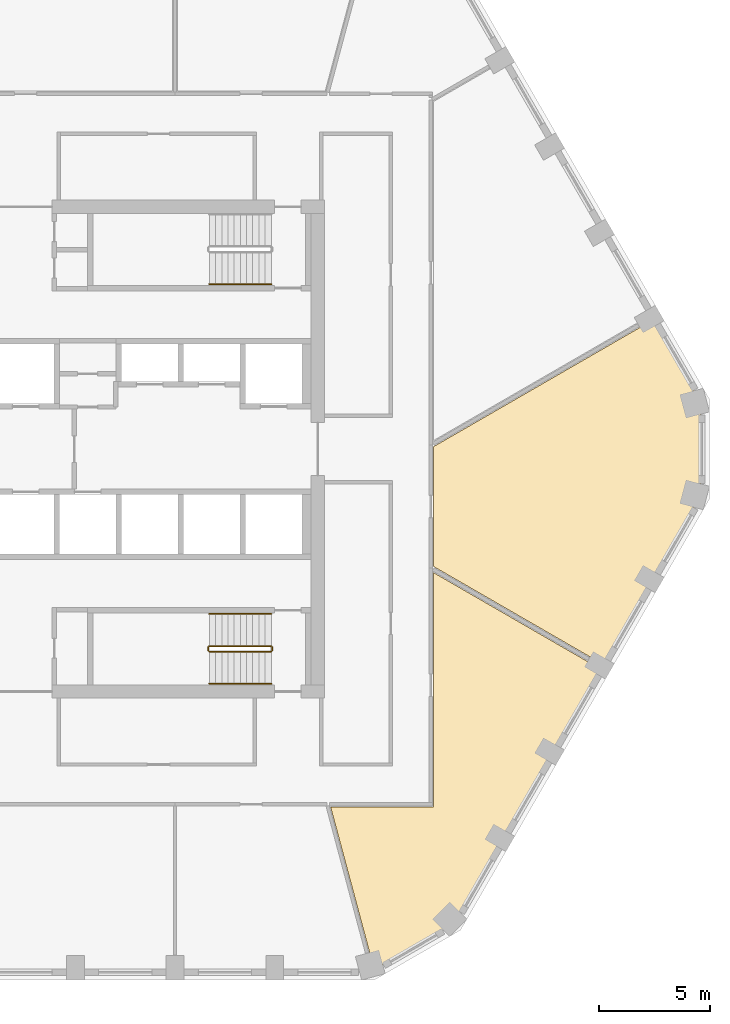
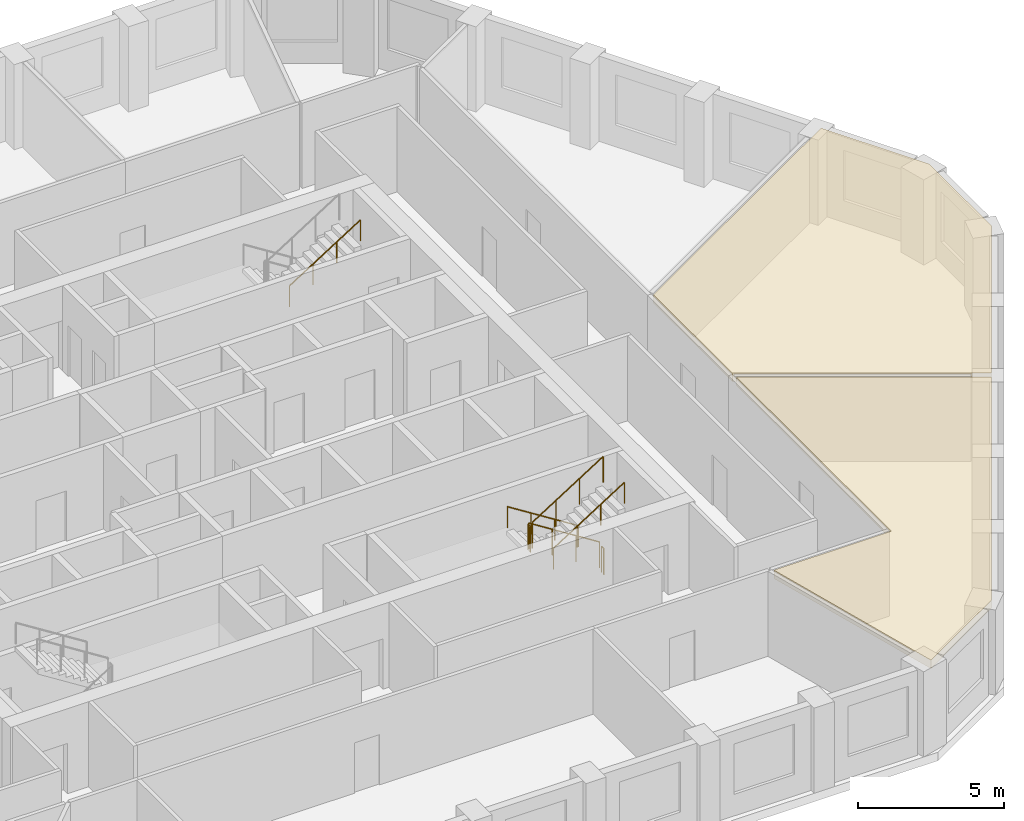
# One storey, part 10 of 13: 7 railings, 2 coverings.
"""IFC4 building model written with IfcOpenShell, lengths in metres."""

import ifcopenshell
import ifcopenshell.guid

model = None  # the IFC model being written
_history = None  # IfcOwnerHistory: only IFC2X3 demands one
_inside = {}  # id of a spatial element -> (the spatial element, [elements in it])
_under = {}  # id of a project, library or spatial element -> (it, [spatial elements below it])
_declared = {}  # id of a project -> (the project, [libraries it declares])
_typed = {}  # id of a type object -> (the type object, [elements of that type])
_made_of = {}  # id of a material, layer set ... -> (it, [elements and type objects made of it])


def new_model(schema):
    """Start an empty IFC model of exactly this schema.

    Asked for "IFC4X3", IfcOpenShell would pick the latest addendum, in which some entities
    have other attributes; the version numbers below select the first issue.
    IFC2X3 requires an IfcOwnerHistory on every rooted entity: one is made here for all.
    """
    global model, _history
    if schema == "IFC4X3":
        model = ifcopenshell.file(schema_version=(4, 3, 0, 0))
    else:
        model = ifcopenshell.file(schema=schema)
    _inside.clear()
    _under.clear()
    _declared.clear()
    _typed.clear()
    _made_of.clear()
    _history = None
    if model.schema == "IFC2X3":
        org = make("IfcOrganization", Name="unknown")
        user = make(
            "IfcPersonAndOrganization",
            ThePerson=make("IfcPerson", FamilyName="unknown"),
            TheOrganization=org,
        )
        app = make(
            "IfcApplication",
            ApplicationDeveloper=org,
            Version="unknown",
            ApplicationFullName="unknown",
            ApplicationIdentifier="unknown",
        )
        _history = make(
            "IfcOwnerHistory",
            OwningUser=user,
            OwningApplication=app,
            ChangeAction="ADDED",
            CreationDate=0,
        )
    return model


def make(cls, **values):
    """One entity of the class cls with the attributes given. An attribute that is None is left unset."""
    return model.create_entity(
        cls, **{name: value for name, value in values.items() if value is not None}
    )


def rooted(cls, **values):
    """An entity with a GlobalId (a new one), such as an element, a storey or a relation."""
    return make(cls, GlobalId=ifcopenshell.guid.new(), OwnerHistory=_history, **values)


def si_unit(unit_type, name, prefix=None):
    """IfcSIUnit, for example si_unit("LENGTHUNIT", "METRE", prefix="MILLI")."""
    return make("IfcSIUnit", UnitType=unit_type, Prefix=prefix, Name=name)


def assignment(units):
    """IfcUnitAssignment: the units of a project."""
    return None if units is None else make("IfcUnitAssignment", Units=units)


def point(xyz):
    """IfcCartesianPoint."""
    return None if xyz is None else make("IfcCartesianPoint", Coordinates=xyz)


def direction(xyz):
    """IfcDirection."""
    return None if xyz is None else make("IfcDirection", DirectionRatios=xyz)


def frame(location, z_axis=None, x_axis=None):
    """IfcAxis2Placement3D, a coordinate frame: its origin and axes. An axis left out is left unset."""
    return make(
        "IfcAxis2Placement3D",
        Location=point(location),
        Axis=direction(z_axis),
        RefDirection=direction(x_axis),
    )


def frame_2d(location, x_axis=None):
    """IfcAxis2Placement2D, a coordinate frame in the plane: its origin and x axis."""
    return make(
        "IfcAxis2Placement2D", Location=point(location), RefDirection=direction(x_axis)
    )


def origin():
    """The frame at (0, 0, 0) with its axes left unset."""
    return frame((0.0, 0.0, 0.0))


def origin_2d():
    """The frame at (0, 0) in the plane with its x axis left unset."""
    return frame_2d((0.0, 0.0))


def place(relative_to, where):
    """IfcLocalPlacement: puts the frame where relative to a parent placement (None: the world)."""
    return make(
        "IfcLocalPlacement", PlacementRelTo=relative_to, RelativePlacement=where
    )


def context(
    kind, dimensions, precision=None, world=None, true_north=None, identifier=None
):
    """IfcGeometricRepresentationContext, for example the 3D "Model" context."""
    return make(
        "IfcGeometricRepresentationContext",
        ContextIdentifier=identifier,
        ContextType=kind,
        CoordinateSpaceDimension=dimensions,
        Precision=precision,
        WorldCoordinateSystem=world,
        TrueNorth=true_north,
    )


def subcontext(parent, identifier, kind, view, scale=None):
    """IfcGeometricRepresentationSubContext, for example "Body" below "Model"."""
    return make(
        "IfcGeometricRepresentationSubContext",
        ContextIdentifier=identifier,
        ContextType=kind,
        ParentContext=parent,
        TargetScale=scale,
        TargetView=view,
    )


def project(units=None, contexts=None):
    """IfcProject with its units and contexts."""
    return rooted(
        "IfcProject",
        Name="project",
        RepresentationContexts=contexts,
        UnitsInContext=assignment(units),
    )


def spatial(cls, under=None, at=None, **own):
    """A site, building, storey or space (cls), placed at a placement, below another one or the project."""
    s = rooted(cls, ObjectPlacement=at, **own)
    if under is not None:
        _under.setdefault(under.id(), (under, []))[1].append(s)
    return s


def polyline(points):
    """IfcPolyline through the points."""
    return make("IfcPolyline", Points=[point(p) for p in points])


def profile(cls, at=None, kind="AREA", **sizes):
    """A parametric profile (cls). Its sizes go by their IFC names, for example OverallWidth=200.0."""
    return make(cls, ProfileType=kind, Position=at, **sizes)


def circle(**sizes):
    """IfcCircleProfileDef."""
    return profile("IfcCircleProfileDef", **sizes)


def outline(outer, holes=None, kind="AREA"):
    """IfcArbitraryClosedProfileDef: a profile drawn as a closed curve; with holes, ...WithVoids."""
    if holes is None:
        return make("IfcArbitraryClosedProfileDef", ProfileType=kind, OuterCurve=outer)
    return make(
        "IfcArbitraryProfileDefWithVoids",
        ProfileType=kind,
        OuterCurve=outer,
        InnerCurves=holes,
    )


def extrude(swept, where, along, depth):
    """IfcExtrudedAreaSolid: the profile swept, set in the frame where, extruded along a direction by depth."""
    return make(
        "IfcExtrudedAreaSolid",
        SweptArea=swept,
        Position=where,
        ExtrudedDirection=direction(along),
        Depth=depth,
    )


def shape(context_of_items, identifier, shape_type, items):
    """IfcShapeRepresentation: the items that make up one representation, for example the "Body"."""
    return make(
        "IfcShapeRepresentation",
        ContextOfItems=context_of_items,
        RepresentationIdentifier=identifier,
        RepresentationType=shape_type,
        Items=items,
    )


def material(Name=None, Category=None):
    """IfcMaterial."""
    return make("IfcMaterial", Name=Name, Category=Category)


def layer(
    of_material, thickness, ventilated=None, Name=None, Category=None, Priority=None
):
    """IfcMaterialLayer: one layer of a wall or slab, of a material (None: an air gap)."""
    return make(
        "IfcMaterialLayer",
        Material=of_material,
        LayerThickness=thickness,
        IsVentilated=ventilated,
        Name=Name,
        Category=Category,
        Priority=Priority,
    )


def layer_set(layers, Name=None):
    """IfcMaterialLayerSet."""
    return make("IfcMaterialLayerSet", MaterialLayers=layers, LayerSetName=Name)


def made_of(thing, what):
    """Note that an element or type object is made of a material, layer set ...; save() writes the relation."""
    if what is not None:
        _made_of.setdefault(what.id(), (what, []))[1].append(thing)
    return thing


def type_object(cls, material=None, **own):
    """A type object (cls), such as IfcWallType, which elements share."""
    return made_of(rooted(cls, **own), material)


def element(
    cls,
    number,
    at=None,
    inside=None,
    cuts=None,
    type_object=None,
    material=None,
    context=None,
    identifier="Body",
    shape_type=None,
    held_by="IfcProductDefinitionShape",
    body=None,
    shapes=None,
    **own,
):
    """One element of the class cls, such as IfcWall. Its Tag is "e" and its number.

    at: its placement. inside: the storey or other place that contains it. cuts: it is an
    opening in that element (IfcRelVoidsElement). A single representation is given by context,
    identifier, shape_type and body (its items); several are given by shapes. held_by: the class
    of the entity that holds the representations. save() writes the other relations.
    """
    e = rooted(cls, Tag="e%d" % number, ObjectPlacement=at, **own)
    if body is not None:
        shapes = [shape(context, identifier, shape_type, body)]
    if shapes is not None:
        e.Representation = make(held_by, Representations=shapes)
    if inside is not None:
        _inside.setdefault(inside.id(), (inside, []))[1].append(e)
    if cuts is not None:
        rooted(
            "IfcRelVoidsElement", RelatingBuildingElement=cuts, RelatedOpeningElement=e
        )
    if type_object is not None:
        _typed.setdefault(type_object.id(), (type_object, []))[1].append(e)
    return made_of(e, material)


def aggregate(whole, parts):
    """IfcRelAggregates: a whole, such as a stair, and the parts it consists of."""
    return rooted("IfcRelAggregates", RelatingObject=whole, RelatedObjects=parts)


def save(model, path):
    """Write the relations noted so far, then the file.

    IfcRelAggregates (storeys below a building ...), IfcRelContainedInSpatialStructure (elements
    in a storey), IfcRelDefinesByType, IfcRelAssociatesMaterial and IfcRelDeclares: one each for
    every whole, place, type object, material and project.
    """
    for whole, parts in _under.values():
        aggregate(whole, parts)
    for where, things in _inside.values():
        rooted(
            "IfcRelContainedInSpatialStructure",
            RelatedElements=things,
            RelatingStructure=where,
        )
    for kind, things in _typed.values():
        rooted("IfcRelDefinesByType", RelatedObjects=things, RelatingType=kind)
    for what, things in _made_of.values():
        rooted("IfcRelAssociatesMaterial", RelatedObjects=things, RelatingMaterial=what)
    for by, libraries in _declared.values():
        rooted("IfcRelDeclares", RelatingContext=by, RelatedDefinitions=libraries)
    model.write(path)


model = new_model("IFC4")

# Units and contexts
model_context = context("Model", 3, precision=1e-05, world=origin(), true_north=direction((0.0, 1.0)))
body_context = subcontext(model_context, "Body", "Model", "MODEL_VIEW")
ifc_project = project(units=[si_unit("LENGTHUNIT", "METRE"), si_unit("AREAUNIT", "SQUARE_METRE"), si_unit("VOLUMEUNIT", "CUBIC_METRE"), si_unit("PLANEANGLEUNIT", "RADIAN"), si_unit("MASSUNIT", "GRAM", prefix="KILO")], contexts=[model_context])

# Site, building, storey
site_placement = place(None, origin())
site = spatial("IfcSite", under=ifc_project, at=site_placement, CompositionType="ELEMENT")
building_placement = place(site_placement, origin())
building = spatial("IfcBuilding", under=site, at=building_placement, Name="Dhurran Vertical Campus", CompositionType="ELEMENT")
storey_placement = place(building_placement, frame((0.0, 0.0, 191.699951171875)))
storey = spatial("IfcBuildingStorey", under=building, at=storey_placement, Name="L47", CompositionType="ELEMENT", Elevation=191.699951171875)

# Railings
ifc_material_1 = material(Name="Stainless steel balustrade", Category="steel")
railing_type_1 = type_object("IfcRailingType", Name="co-RL-GUARD-1100", PredefinedType="GUARDRAIL", material=ifc_material_1)
railing_1_placement = place(storey_placement, frame((11.10009765625, -8.89990234375, 0.17724609375)))
element("IfcRailing", 1, at=railing_1_placement, inside=storey, type_object=railing_type_1, Name="L47 ST4 stair guard 1", PredefinedType="GUARDRAIL", context=body_context, shape_type="SweptSolid", body=[
    extrude(circle(Radius=0.02392578125, at=origin_2d()), frame((0.0, 0.0, 1.076171875), z_axis=(-0.844908973607, 0.0, 0.534910110503), x_axis=(0.0, -1.0, 0.0)), (0.0, 0.0, 1.0), 3.31396484375),
    extrude(circle(Radius=0.02099609375, at=origin_2d()), origin(), (0.0, 0.0, 1.0), 1.052001953125),
    extrude(circle(Radius=0.02099609375, at=origin_2d()), frame((-0.933349609375, 0.0, 0.5908203125)), (0.0, 0.0, 1.0), 1.052001953125),
    extrude(circle(Radius=0.02099609375, at=origin_2d()), frame((-1.86669921875, 0.0, 1.181884765625)), (0.0, 0.0, 1.0), 1.052001953125),
    extrude(circle(Radius=0.02099609375, at=origin_2d()), frame((-2.800048828125, 0.0, 1.772705078125)), (0.0, 0.0, 1.0), 1.052001953125),
])
railing_2_placement = place(storey_placement, frame((8.25, -8.949951171875, 1.949951171875)))
element("IfcRailing", 2, at=railing_2_placement, inside=storey, type_object=railing_type_1, Name="L47 ST4 stair guard 2", PredefinedType="GUARDRAIL", context=body_context, shape_type="SweptSolid", body=[
    extrude(circle(Radius=0.02392578125, at=origin_2d()), frame((0.0, 0.0, 1.076171875), z_axis=(0.0, -1.0, 0.0), x_axis=(1.0, 0.0, 0.0)), (0.0, 0.0, 1.0), 0.150146484375),
    extrude(circle(Radius=0.02099609375, at=origin_2d()), origin(), (0.0, 0.0, 1.0), 1.052001953125),
    extrude(circle(Radius=0.02099609375, at=origin_2d()), frame((0.0, -0.150146484375, 0.0)), (0.0, 0.0, 1.0), 1.052001953125),
])
railing_3_placement = place(storey_placement, frame((8.300048828125, -9.14990234375, 2.12744140625)))
element("IfcRailing", 3, at=railing_3_placement, inside=storey, type_object=railing_type_1, Name="L47 ST4 stair guard 3", PredefinedType="GUARDRAIL", context=body_context, shape_type="SweptSolid", body=[
    extrude(circle(Radius=0.02392578125, at=origin_2d()), frame((0.0, 0.0, 1.076171875), z_axis=(0.844908973607, 0.0, 0.534910110503), x_axis=(0.0, 1.0, 0.0)), (0.0, 0.0, 1.0), 3.31396484375),
    extrude(circle(Radius=0.02099609375, at=origin_2d()), origin(), (0.0, 0.0, 1.0), 1.052001953125),
    extrude(circle(Radius=0.02099609375, at=origin_2d()), frame((0.933349609375, 0.0, 0.5908203125)), (0.0, 0.0, 1.0), 1.052001953125),
    extrude(circle(Radius=0.02099609375, at=origin_2d()), frame((1.86669921875, 0.0, 1.181884765625)), (0.0, 0.0, 1.0), 1.052001953125),
    extrude(circle(Radius=0.02099609375, at=origin_2d()), frame((2.800048828125, 0.0, 1.772705078125)), (0.0, 0.0, 1.0), 1.052001953125),
])
railing_4_placement = place(storey_placement, frame((11.14990234375, -8.949951171875, 0.0)))
element("IfcRailing", 4, at=railing_4_placement, inside=storey, type_object=railing_type_1, Name="L47 ST4 stair guard 4", PredefinedType="GUARDRAIL", context=body_context, shape_type="SweptSolid", body=[
    extrude(circle(Radius=0.02392578125, at=origin_2d()), frame((0.0, 0.0, 1.076171875), z_axis=(0.0, -1.0, 0.0), x_axis=(1.0, 0.0, 0.0)), (0.0, 0.0, 1.0), 0.150146484375),
    extrude(circle(Radius=0.02099609375, at=origin_2d()), origin(), (0.0, 0.0, 1.0), 1.052001953125),
    extrude(circle(Radius=0.02099609375, at=origin_2d()), frame((0.0, -0.150146484375, 0.0)), (0.0, 0.0, 1.0), 1.052001953125),
])
ifc_material_2 = material(Name="Stainless steel handrail", Category="steel")
railing_type_2 = type_object("IfcRailingType", Name="co-RL-HANDRAIL-900", PredefinedType="HANDRAIL", material=ifc_material_2)
railing_5_placement = place(storey_placement, frame((8.300048828125, 7.449951171875, 2.12744140625)))
element("IfcRailing", 5, at=railing_5_placement, inside=storey, type_object=railing_type_2, Name="L47 ST2 stair handrail 2", PredefinedType="HANDRAIL", context=body_context, shape_type="SweptSolid", body=[
    extrude(circle(Radius=0.02392578125, at=origin_2d()), frame((0.0, 0.0, 0.8759765625), z_axis=(0.844908973607, 0.0, 0.534910110503), x_axis=(0.0, 1.0, 0.0)), (0.0, 0.0, 1.0), 3.31396484375),
    extrude(circle(Radius=0.02099609375, at=origin_2d()), origin(), (0.0, 0.0, 1.0), 0.851806640625),
    extrude(circle(Radius=0.02099609375, at=origin_2d()), frame((0.933349609375, 0.0, 0.5908203125)), (0.0, 0.0, 1.0), 0.851806640625),
    extrude(circle(Radius=0.02099609375, at=origin_2d()), frame((1.86669921875, 0.0, 1.181884765625)), (0.0, 0.0, 1.0), 0.851806640625),
    extrude(circle(Radius=0.02099609375, at=origin_2d()), frame((2.800048828125, 0.0, 1.772705078125)), (0.0, 0.0, 1.0), 0.851806640625),
])
railing_6_placement = place(storey_placement, frame((11.10009765625, -7.449951171875, 0.17724609375)))
element("IfcRailing", 6, at=railing_6_placement, inside=storey, type_object=railing_type_2, Name="L47 ST4 stair handrail 1", PredefinedType="HANDRAIL", context=body_context, shape_type="SweptSolid", body=[
    extrude(circle(Radius=0.02392578125, at=origin_2d()), frame((0.0, 0.0, 0.8759765625), z_axis=(-0.844908973607, 0.0, 0.534910110503), x_axis=(0.0, -1.0, 0.0)), (0.0, 0.0, 1.0), 3.31396484375),
    extrude(circle(Radius=0.02099609375, at=origin_2d()), origin(), (0.0, 0.0, 1.0), 0.851806640625),
    extrude(circle(Radius=0.02099609375, at=origin_2d()), frame((-0.933349609375, 0.0, 0.5908203125)), (0.0, 0.0, 1.0), 0.851806640625),
    extrude(circle(Radius=0.02099609375, at=origin_2d()), frame((-1.86669921875, 0.0, 1.181884765625)), (0.0, 0.0, 1.0), 0.851806640625),
    extrude(circle(Radius=0.02099609375, at=origin_2d()), frame((-2.800048828125, 0.0, 1.772705078125)), (0.0, 0.0, 1.0), 0.851806640625),
])
railing_7_placement = place(storey_placement, frame((8.300048828125, -10.60009765625, 2.12744140625)))
element("IfcRailing", 7, at=railing_7_placement, inside=storey, type_object=railing_type_2, Name="L47 ST4 stair handrail 2", PredefinedType="HANDRAIL", context=body_context, shape_type="SweptSolid", body=[
    extrude(circle(Radius=0.02392578125, at=origin_2d()), frame((0.0, 0.0, 0.8759765625), z_axis=(0.844908973607, 0.0, 0.534910110503), x_axis=(0.0, 1.0, 0.0)), (0.0, 0.0, 1.0), 3.31396484375),
    extrude(circle(Radius=0.02099609375, at=origin_2d()), origin(), (0.0, 0.0, 1.0), 0.851806640625),
    extrude(circle(Radius=0.02099609375, at=origin_2d()), frame((0.933349609375, 0.0, 0.5908203125)), (0.0, 0.0, 1.0), 0.851806640625),
    extrude(circle(Radius=0.02099609375, at=origin_2d()), frame((1.86669921875, 0.0, 1.181884765625)), (0.0, 0.0, 1.0), 0.851806640625),
    extrude(circle(Radius=0.02099609375, at=origin_2d()), frame((2.800048828125, 0.0, 1.772705078125)), (0.0, 0.0, 1.0), 0.851806640625),
])

# Coverings
ifc_material_3 = material(Name="Mineral fibre ceiling tiles on suspended grid")
ifc_layer = layer(ifc_material_3, 0.35009765625)
ifc_layer_set = layer_set([ifc_layer], Name="Mineral fibre ceiling tiles on suspended grid")
covering_type = type_object("IfcCoveringType", Name="fl-CE-350 suspended ceiling", PredefinedType="CEILING", material=ifc_layer_set)
covering_1_placement = place(storey_placement, frame((0.0, 0.0, 3.199951171875)))
element("IfcCovering", 8, at=covering_1_placement, inside=storey, type_object=covering_type, Name="Ceiling 47-29", PredefinedType="CEILING", context=body_context, shape_type="SweptSolid", body=[
    extrude(outline(polyline([(25.972900390625, -9.93798828125), (19.339111328125, -21.427978515625), (15.7451171875, -23.50390625), (13.780029296875, -16.169921875), (18.419921875, -16.169921875), (18.419921875, -5.576904296875), (25.972900390625, -9.93798828125)])), origin(), (0.0, 0.0, 1.0), 0.35009765625),
])
covering_2_placement = place(storey_placement, frame((0.0, 0.0, 3.199951171875)))
element("IfcCovering", 9, at=covering_2_placement, inside=storey, type_object=covering_type, Name="Ceiling 47-31", PredefinedType="CEILING", context=body_context, shape_type="SweptSolid", body=[
    extrude(outline(polyline([(28.343017578125, 5.8330078125), (30.47705078125, 2.137939453125), (30.47705078125, -2.137939453125), (26.093017578125, -9.72998046875), (18.419921875, -5.300048828125), (18.419921875, 0.10400390625), (28.343017578125, 5.8330078125)])), origin(), (0.0, 0.0, 1.0), 0.35009765625),
])

save(model, "model.ifc")
